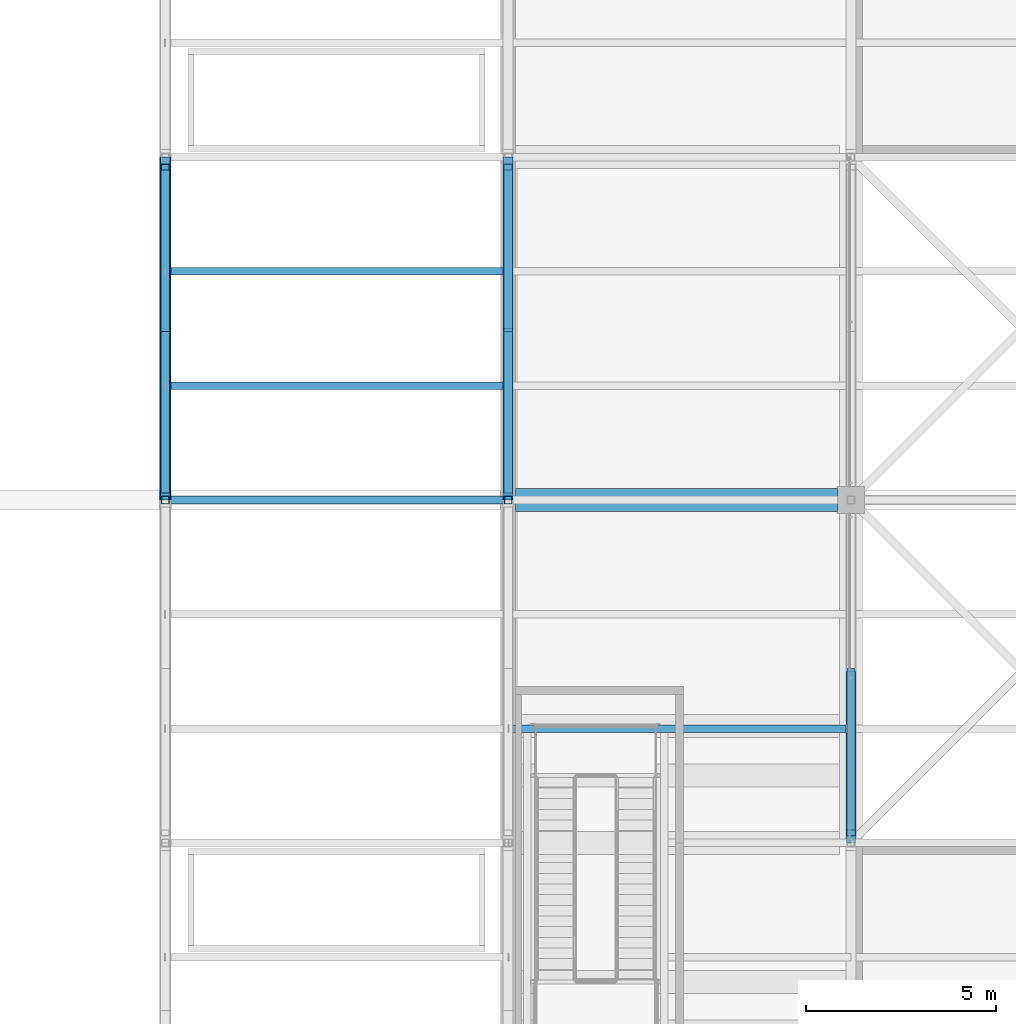
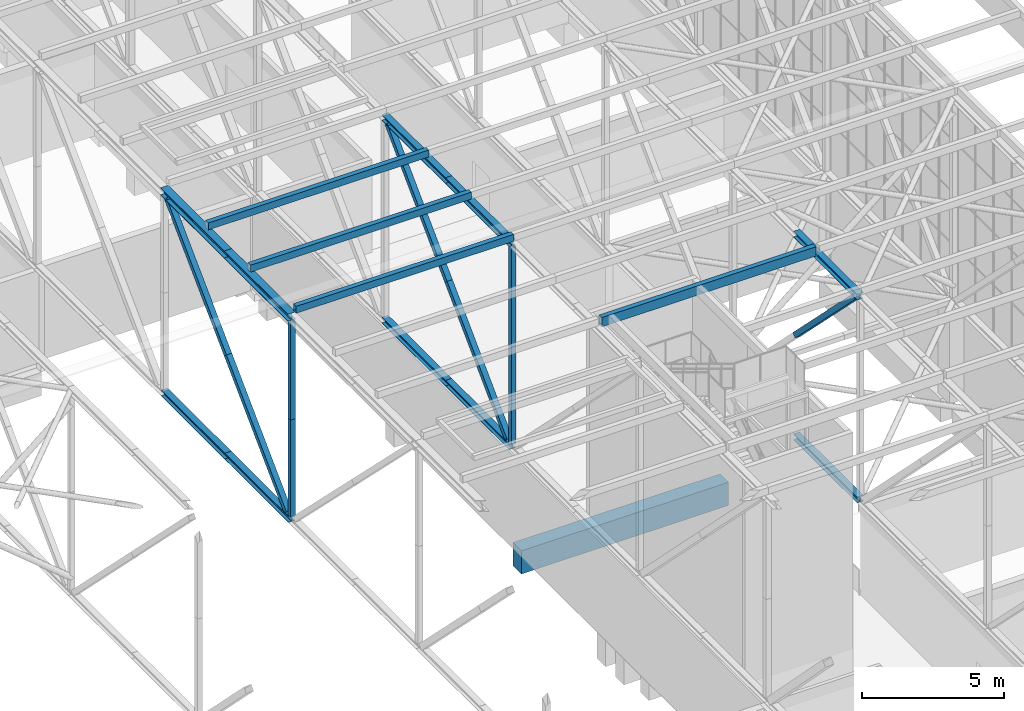
# One storey, part 98 of 646: 23 members, 1 beam.
"""IFC4 building model written with IfcOpenShell, lengths in metres."""

from ifc_helpers import new_model, si_unit, direction, frame, origin, origin_2d, place, context, subcontext, project, spatial, rectangle, hollow_rectangle, i_section, extrude, material, material_profile, profile_set, type_object, element, save


model = new_model("IFC4")

# Units and contexts
model_context = context("Model", 3, precision=1e-05, world=origin(), true_north=direction((0.0, 1.0)))
body_context = subcontext(model_context, "Body", "Model", "MODEL_VIEW")
ifc_project = project(units=[si_unit("LENGTHUNIT", "METRE"), si_unit("AREAUNIT", "SQUARE_METRE"), si_unit("VOLUMEUNIT", "CUBIC_METRE"), si_unit("PLANEANGLEUNIT", "RADIAN"), si_unit("MASSUNIT", "GRAM", prefix="KILO")], contexts=[model_context])

# Site, building, storey
site_placement = place(None, origin())
site = spatial("IfcSite", under=ifc_project, at=site_placement, CompositionType="ELEMENT")
building_placement = place(site_placement, origin())
building = spatial("IfcBuilding", under=site, at=building_placement, Name="Silverbay Arena", CompositionType="ELEMENT")
storey_placement = place(building_placement, frame((0.0, 0.0, 33.5)))
storey = spatial("IfcBuildingStorey", under=building, at=storey_placement, Name="L05", CompositionType="ELEMENT", Elevation=33.5)

# Members
ifc_material_1 = material(Name="Steel S355", Category="steel")
ifc_material_profile_1 = material_profile(ifc_material_1, i_section(OverallWidth=0.2587890625, OverallDepth=0.2666015625, WebThickness=0.0126953125, FlangeThickness=0.0205078125, at=origin_2d()), Name="UC 254x254x107")
ifc_profile_set_1 = profile_set([ifc_material_profile_1], Name="Steel S355")
member_type_1 = type_object("IfcMemberType", Name="Long-span bottom chord UC 254x254x107", PredefinedType="CHORD", material=ifc_profile_set_1)
for number, where, z_axis, x_axis, name in (
    (1, (180.0, 81.0, 4.13330078125), (0.0, 1.0, 0.0), (-1.0, 0.0, 0.0), "ROOF TRUSS 21 bottom chord 09a"),
    (2, (180.0, 85.5, 4.13330078125), (0.0, 1.0, 0.0), (-1.0, 0.0, 0.0), "ROOF TRUSS 21 bottom chord 09b"),
):
    element("IfcMember", number, at=place(storey_placement, frame(where, z_axis=z_axis, x_axis=x_axis)), inside=storey, type_object=member_type_1, Name=name, PredefinedType="CHORD", context=body_context, shape_type="SweptSolid", body=[
        extrude(i_section(OverallWidth=0.2587890625, OverallDepth=0.2666015625, WebThickness=0.0126953125, FlangeThickness=0.0205078125, at=origin_2d()), origin(), (0.0, 0.0, 1.0), 4.5),
    ])
ifc_material_2 = material(Name="Steel S355", Category="steel")
ifc_material_profile_2 = material_profile(ifc_material_2, i_section(OverallWidth=0.311279296875, OverallDepth=0.3271484375, WebThickness=0.015869140625, FlangeThickness=0.02490234375, at=origin_2d()), Name="UC 305x305x158")
ifc_profile_set_2 = profile_set([ifc_material_profile_2], Name="Steel S355")
member_type_2 = type_object("IfcMemberType", Name="Long-span top chord UC 305x305x158", PredefinedType="CHORD", material=ifc_profile_set_2)
for number, where, z_axis, x_axis, name in (
    (3, (180.0, 81.0, 12.83642578125), (0.0, 1.0, 0.0), (-1.0, 0.0, 0.0), "ROOF TRUSS 21 top chord 09a"),
    (4, (180.0, 85.5, 12.83642578125), (0.0, 1.0, 0.0), (-1.0, 0.0, 0.0), "ROOF TRUSS 21 top chord 09b"),
):
    element("IfcMember", number, at=place(storey_placement, frame(where, z_axis=z_axis, x_axis=x_axis)), inside=storey, type_object=member_type_2, Name=name, PredefinedType="CHORD", context=body_context, shape_type="SweptSolid", body=[
        extrude(i_section(OverallWidth=0.311279296875, OverallDepth=0.3271484375, WebThickness=0.015869140625, FlangeThickness=0.02490234375, at=origin_2d()), origin(), (0.0, 0.0, 1.0), 4.5),
    ])
ifc_material_3 = material(Name="Steel S355", Category="steel")
ifc_material_profile_3 = material_profile(ifc_material_3, hollow_rectangle(XDim=0.219970703125, YDim=0.219970703125, WallThickness=0.008056640625, at=origin_2d()), Name="SHS 220x220x8")
ifc_profile_set_3 = profile_set([ifc_material_profile_3], Name="Steel S355")
member_type_3 = type_object("IfcMemberType", Name="Long-span truss diagonal SHS 220x220x8", PredefinedType="BRACE", material=ifc_profile_set_3)
for number, where, z_axis, x_axis, name in (
    (5, (180.0, 89.73876953125, 12.6728515625), (0.0, -0.710086095222, -0.704114860923), (1.0, 0.0, 0.0), "ROOF TRUSS 21 diagonal 09a"),
    (6, (180.0, 85.5, 8.4697265625), (0.0, -0.710086095222, -0.704114860923), (1.0, 0.0, 0.0), "ROOF TRUSS 21 diagonal 09b"),
):
    element("IfcMember", number, at=place(storey_placement, frame(where, z_axis=z_axis, x_axis=x_axis)), inside=storey, type_object=member_type_3, Name=name, PredefinedType="BRACE", context=body_context, shape_type="SweptSolid", body=[
        extrude(hollow_rectangle(XDim=0.219970703125, YDim=0.219970703125, WallThickness=0.008056640625, at=origin_2d()), origin(), (0.0, 0.0, 1.0), 5.969482421875),
    ])
ifc_material_4 = material(Name="Steel S355", Category="steel")
ifc_material_profile_4 = material_profile(ifc_material_4, hollow_rectangle(XDim=0.199951171875, YDim=0.199951171875, WallThickness=0.008056640625, at=origin_2d()), Name="SHS 200x200x8")
ifc_profile_set_4 = profile_set([ifc_material_profile_4], Name="Steel S355")
member_type_4 = type_object("IfcMemberType", Name="Long-span truss vertical SHS 200x200x8", PredefinedType="STRUT", material=ifc_profile_set_4)
for number, where, z_axis, x_axis, name in (
    (7, (180.0, 81.0, 4.2666015625), (0.0, 0.0, 1.0), (1.0, 0.0, 0.0), "ROOF TRUSS 21 vertical 09a"),
    (8, (180.0, 81.0, 8.4697265625), (0.0, 0.0, 1.0), (1.0, 0.0, 0.0), "ROOF TRUSS 21 vertical 09b"),
):
    element("IfcMember", number, at=place(storey_placement, frame(where, z_axis=z_axis, x_axis=x_axis)), inside=storey, type_object=member_type_4, Name=name, PredefinedType="STRUT", context=body_context, shape_type="SweptSolid", body=[
        extrude(hollow_rectangle(XDim=0.199951171875, YDim=0.199951171875, WallThickness=0.008056640625, at=origin_2d()), origin(), (0.0, 0.0, 1.0), 4.203125),
    ])
ifc_material_5 = material(Name="Steel S355", Category="steel")
ifc_material_profile_5 = material_profile(ifc_material_5, i_section(OverallWidth=0.254638671875, OverallDepth=0.254150390625, WebThickness=0.008544921875, FlangeThickness=0.01416015625, at=origin_2d()), Name="UC 254x254x73")
ifc_profile_set_5 = profile_set([ifc_material_profile_5], Name="Steel S355")
member_type_5 = type_object("IfcMemberType", Name="Medium-span bottom chord UC 254x254x73", PredefinedType="CHORD", material=ifc_profile_set_5)
for number, where, z_axis, x_axis, name in (
    (9, (189.0, 81.0, 4.126953125), (0.0, 1.0, 0.0), (-1.0, 0.0, 0.0), "ROOF TRUSS 22 bottom chord 09a"),
    (10, (189.0, 85.5, 4.126953125), (0.0, 1.0, 0.0), (-1.0, 0.0, 0.0), "ROOF TRUSS 22 bottom chord 09b"),
):
    element("IfcMember", number, at=place(storey_placement, frame(where, z_axis=z_axis, x_axis=x_axis)), inside=storey, type_object=member_type_5, Name=name, PredefinedType="CHORD", context=body_context, shape_type="SweptSolid", body=[
        extrude(i_section(OverallWidth=0.254638671875, OverallDepth=0.254150390625, WebThickness=0.008544921875, FlangeThickness=0.01416015625, at=origin_2d()), origin(), (0.0, 0.0, 1.0), 4.5),
    ])
ifc_material_6 = material(Name="Steel S355", Category="steel")
ifc_material_profile_6 = material_profile(ifc_material_6, i_section(OverallWidth=0.2587890625, OverallDepth=0.2666015625, WebThickness=0.0126953125, FlangeThickness=0.0205078125, at=origin_2d()), Name="UC 254x254x107")
ifc_profile_set_6 = profile_set([ifc_material_profile_6], Name="Steel S355")
member_type_6 = type_object("IfcMemberType", Name="Medium-span top chord UC 254x254x107", PredefinedType="CHORD", material=ifc_profile_set_6)
for number, where, z_axis, x_axis, name in (
    (11, (189.0, 81.0, 12.86669921875), (0.0, 1.0, 0.0), (-1.0, 0.0, 0.0), "ROOF TRUSS 22 top chord 09a"),
    (12, (189.0, 85.5, 12.86669921875), (0.0, 1.0, 0.0), (-1.0, 0.0, 0.0), "ROOF TRUSS 22 top chord 09b"),
):
    element("IfcMember", number, at=place(storey_placement, frame(where, z_axis=z_axis, x_axis=x_axis)), inside=storey, type_object=member_type_6, Name=name, PredefinedType="CHORD", context=body_context, shape_type="SweptSolid", body=[
        extrude(i_section(OverallWidth=0.2587890625, OverallDepth=0.2666015625, WebThickness=0.0126953125, FlangeThickness=0.0205078125, at=origin_2d()), origin(), (0.0, 0.0, 1.0), 4.5),
    ])
ifc_material_7 = material(Name="Steel S355", Category="steel")
ifc_material_profile_7 = material_profile(ifc_material_7, hollow_rectangle(XDim=0.219970703125, YDim=0.219970703125, WallThickness=0.008056640625, at=origin_2d()), Name="SHS 220x220x8")
ifc_profile_set_7 = profile_set([ifc_material_profile_7], Name="Steel S355")
member_type_7 = type_object("IfcMemberType", Name="Medium-span truss diagonal SHS 220x220x8", PredefinedType="BRACE", material=ifc_profile_set_7)
member_1_placement = place(storey_placement, frame((189.0, 89.739501953125, 12.7333984375), z_axis=(0.0, -0.707086421365, -0.707127140422), x_axis=(1.0, 0.0, 0.0)))
element("IfcMember", 13, at=member_1_placement, inside=storey, type_object=member_type_7, Name="ROOF TRUSS 22 diagonal 09a", PredefinedType="BRACE", context=body_context, shape_type="SweptSolid", body=[
    extrude(hollow_rectangle(XDim=0.219970703125, YDim=0.219970703125, WallThickness=0.008056640625, at=origin_2d()), origin(), (0.0, 0.0, 1.0), 5.995849609375),
])
member_2_placement = place(storey_placement, frame((189.0, 85.5, 8.49365234375), z_axis=(0.0, -0.707106781187, -0.707106781187), x_axis=(1.0, 0.0, 0.0)))
element("IfcMember", 14, at=member_2_placement, inside=storey, type_object=member_type_7, Name="ROOF TRUSS 22 diagonal 09b", PredefinedType="BRACE", context=body_context, shape_type="SweptSolid", body=[
    extrude(hollow_rectangle(XDim=0.219970703125, YDim=0.219970703125, WallThickness=0.008056640625, at=origin_2d()), origin(), (0.0, 0.0, 1.0), 5.99560546875),
])
ifc_material_8 = material(Name="Steel S355", Category="steel")
ifc_material_profile_8 = material_profile(ifc_material_8, hollow_rectangle(XDim=0.199951171875, YDim=0.199951171875, WallThickness=0.008056640625, at=origin_2d()), Name="SHS 200x200x8")
ifc_profile_set_8 = profile_set([ifc_material_profile_8], Name="Steel S355")
member_type_8 = type_object("IfcMemberType", Name="Medium-span truss vertical SHS 200x200x8", PredefinedType="STRUT", material=ifc_profile_set_8)
member_3_placement = place(storey_placement, frame((189.0, 81.0, 4.254150390625), z_axis=(0.0, 0.0, 1.0), x_axis=(1.0, 0.0, 0.0)))
element("IfcMember", 15, at=member_3_placement, inside=storey, type_object=member_type_8, Name="ROOF TRUSS 22 vertical 09a", PredefinedType="STRUT", context=body_context, shape_type="SweptSolid", body=[
    extrude(hollow_rectangle(XDim=0.199951171875, YDim=0.199951171875, WallThickness=0.008056640625, at=origin_2d()), origin(), (0.0, 0.0, 1.0), 4.239501953125),
])
member_4_placement = place(storey_placement, frame((189.0, 81.0, 8.49365234375), z_axis=(0.0, 0.0, 1.0), x_axis=(1.0, 0.0, 0.0)))
element("IfcMember", 16, at=member_4_placement, inside=storey, type_object=member_type_8, Name="ROOF TRUSS 22 vertical 09b", PredefinedType="STRUT", context=body_context, shape_type="SweptSolid", body=[
    extrude(hollow_rectangle(XDim=0.199951171875, YDim=0.199951171875, WallThickness=0.008056640625, at=origin_2d()), origin(), (0.0, 0.0, 1.0), 4.23974609375),
])
ifc_material_9 = material(Name="Steel S355", Category="steel")
ifc_material_profile_9 = material_profile(ifc_material_9, hollow_rectangle(XDim=0.199951171875, YDim=0.300048828125, WallThickness=0.00634765625, at=origin_2d()), Name="RHS 300x200x6.3")
ifc_profile_set_9 = profile_set([ifc_material_profile_9], Name="Steel S355")
member_type_9 = type_object("IfcMemberType", Name="Purlin RHS 300x200x6.3", PredefinedType="PURLIN", material=ifc_profile_set_9)
member_5_placement = place(storey_placement, frame((180.125, 81.0, 13.14990234375), z_axis=(1.0, 0.0, 0.0), x_axis=(0.0, 1.0, 0.0)))
element("IfcMember", 17, at=member_5_placement, inside=storey, type_object=member_type_9, Name="ROOF PURLIN 21-22 line 25", PredefinedType="PURLIN", context=body_context, shape_type="SweptSolid", body=[
    extrude(hollow_rectangle(XDim=0.199951171875, YDim=0.300048828125, WallThickness=0.00634765625, at=origin_2d()), origin(), (0.0, 0.0, 1.0), 8.875),
])
for number, where, z_axis, x_axis, name in (
    (18, (180.0, 84.0, 13.14990234375), (1.0, 0.0, 0.0), (0.0, 1.0, 0.0), "ROOF PURLIN 21-22 line 26"),
    (19, (180.0, 87.0, 13.14990234375), (1.0, 0.0, 0.0), (0.0, 1.0, 0.0), "ROOF PURLIN 21-22 line 27"),
):
    element("IfcMember", number, at=place(storey_placement, frame(where, z_axis=z_axis, x_axis=x_axis)), inside=storey, type_object=member_type_9, Name=name, PredefinedType="PURLIN", context=body_context, shape_type="SweptSolid", body=[
        extrude(hollow_rectangle(XDim=0.199951171875, YDim=0.300048828125, WallThickness=0.00634765625, at=origin_2d()), origin(), (0.0, 0.0, 1.0), 9.0),
    ])
ifc_material_10 = material(Name="Steel S355", Category="steel")
ifc_material_profile_10 = material_profile(ifc_material_10, hollow_rectangle(XDim=0.199951171875, YDim=0.39990234375, WallThickness=0.008056640625, at=origin_2d()), Name="RHS 400x200x8")
ifc_profile_set_10 = profile_set([ifc_material_profile_10], Name="Steel S355")
member_type_10 = type_object("IfcMemberType", Name="Purlin RHS 400x200x8", PredefinedType="PURLIN", material=ifc_profile_set_10)
member_6_placement = place(storey_placement, frame((189.12939453125, 75.0, 13.10009765625), z_axis=(1.0, 0.0, 0.0), x_axis=(0.0, 1.0, 0.0)))
element("IfcMember", 20, at=member_6_placement, inside=storey, type_object=member_type_10, Name="ROOF PURLIN 22-23 line 23", PredefinedType="PURLIN", context=body_context, shape_type="SweptSolid", body=[
    extrude(hollow_rectangle(XDim=0.199951171875, YDim=0.39990234375, WallThickness=0.008056640625, at=origin_2d()), origin(), (0.0, 0.0, 1.0), 8.743408203125),
])

# Beam
ifc_material_11 = material(Name="Concrete Grade C45", Category="concrete")
ifc_material_profile_11 = material_profile(ifc_material_11, rectangle(XDim=0.60009765625, YDim=1.0, at=origin_2d()), Name="RC 600x1000")
ifc_profile_set_11 = profile_set([ifc_material_profile_11], Name="Concrete Grade C45")
beam_type = type_object("IfcBeamType", Name="RC beam 600x1000", PredefinedType="BEAM", material=ifc_profile_set_11)
beam_placement = place(storey_placement, frame((189.199951171875, 81.0, -0.800048828125), z_axis=(1.0, 0.0, 0.0), x_axis=(0.0, 1.0, 0.0)))
element("IfcBeam", 21, at=beam_placement, inside=storey, type_object=beam_type, Name="Floor beam L05 036", PredefinedType="BEAM", context=body_context, shape_type="SweptSolid", body=[
    extrude(rectangle(XDim=0.60009765625, YDim=1.0, at=origin_2d()), origin(), (0.0, 0.0, 1.0), 8.449951171875),
])

# Members
ifc_material_12 = material(Name="Steel S355", Category="steel")
ifc_material_profile_12 = material_profile(ifc_material_12, i_section(OverallWidth=0.254638671875, OverallDepth=0.254150390625, WebThickness=0.008544921875, FlangeThickness=0.01416015625, at=origin_2d()), Name="UC 254x254x73")
ifc_profile_set_12 = profile_set([ifc_material_profile_12], Name="Steel S355")
member_type_11 = type_object("IfcMemberType", Name="Short-span bottom chord UC 254x254x73", PredefinedType="CHORD", material=ifc_profile_set_12)
member_7_placement = place(storey_placement, frame((198.0, 72.0, 4.126953125), z_axis=(0.0, 1.0, 0.0), x_axis=(-1.0, 0.0, 0.0)))
element("IfcMember", 22, at=member_7_placement, inside=storey, type_object=member_type_11, Name="ROOF TRUSS 23 bottom chord 08a", PredefinedType="CHORD", context=body_context, shape_type="SweptSolid", body=[
    extrude(i_section(OverallWidth=0.254638671875, OverallDepth=0.254150390625, WebThickness=0.008544921875, FlangeThickness=0.01416015625, at=origin_2d()), origin(), (0.0, 0.0, 1.0), 4.5),
])
ifc_material_13 = material(Name="Steel S355", Category="steel")
ifc_material_profile_13 = material_profile(ifc_material_13, i_section(OverallWidth=0.254638671875, OverallDepth=0.254150390625, WebThickness=0.008544921875, FlangeThickness=0.01416015625, at=origin_2d()), Name="UC 254x254x73")
ifc_profile_set_13 = profile_set([ifc_material_profile_13], Name="Steel S355")
member_type_12 = type_object("IfcMemberType", Name="Short-span top chord UC 254x254x73", PredefinedType="CHORD", material=ifc_profile_set_13)
member_8_placement = place(storey_placement, frame((198.0, 72.0, 12.873046875), z_axis=(0.0, 1.0, 0.0), x_axis=(-1.0, 0.0, 0.0)))
element("IfcMember", 23, at=member_8_placement, inside=storey, type_object=member_type_12, Name="ROOF TRUSS 23 top chord 08a", PredefinedType="CHORD", context=body_context, shape_type="SweptSolid", body=[
    extrude(i_section(OverallWidth=0.254638671875, OverallDepth=0.254150390625, WebThickness=0.008544921875, FlangeThickness=0.01416015625, at=origin_2d()), origin(), (0.0, 0.0, 1.0), 4.5),
])
ifc_material_14 = material(Name="Steel S355", Category="steel")
ifc_material_profile_14 = material_profile(ifc_material_14, hollow_rectangle(XDim=0.219970703125, YDim=0.219970703125, WallThickness=0.008056640625, at=origin_2d()), Name="SHS 220x220x8")
ifc_profile_set_14 = profile_set([ifc_material_profile_14], Name="Steel S355")
member_type_13 = type_object("IfcMemberType", Name="Short-span truss diagonal SHS 220x220x8", PredefinedType="BRACE", material=ifc_profile_set_14)
member_9_placement = place(storey_placement, frame((198.0, 72.26025390625, 12.745849609375), z_axis=(0.0, 0.706597990941, -0.707615205601), x_axis=(-1.0, 0.0, 0.0)))
element("IfcMember", 24, at=member_9_placement, inside=storey, type_object=member_type_13, Name="ROOF TRUSS 23 diagonal 08a", PredefinedType="BRACE", context=body_context, shape_type="SweptSolid", body=[
    extrude(hollow_rectangle(XDim=0.219970703125, YDim=0.219970703125, WallThickness=0.008056640625, at=origin_2d()), origin(), (0.0, 0.0, 1.0), 6.000244140625),
])

save(model, "model.ifc")
